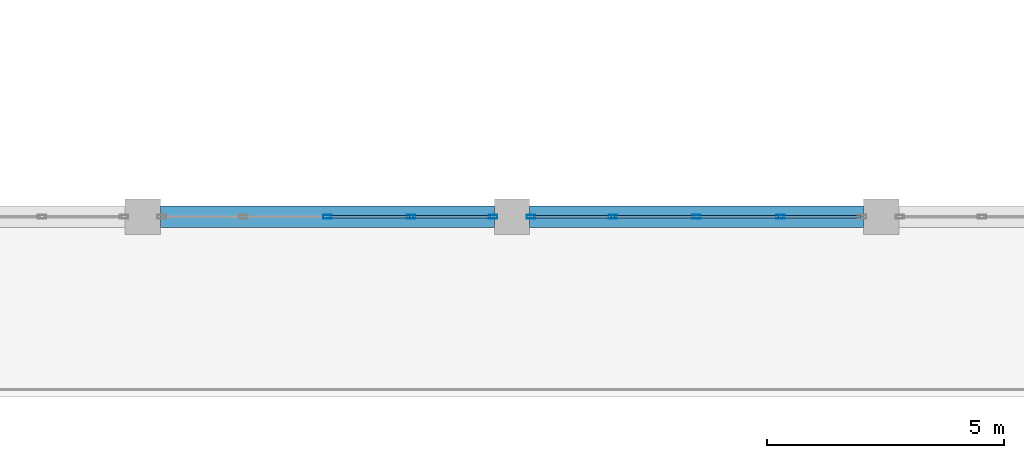
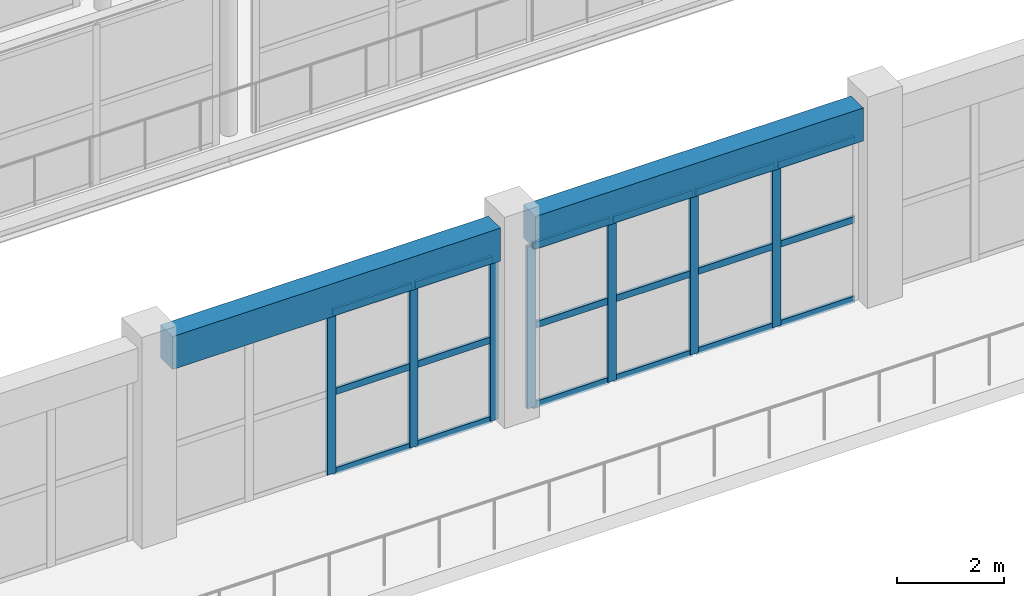
# One storey, part 43 of 175: 25 members, 2 beams, 2 elements without a shape of their own.
"""IFC4 building model written with IfcOpenShell, lengths in metres."""

from ifc_helpers import new_model, si_unit, direction, frame, origin, origin_2d, place, context, subcontext, project, spatial, rectangle, hollow_rectangle, extrude, material, layer, layer_set, material_profile, profile_set, type_object, element, aggregate, save


model = new_model("IFC4")

# Units and contexts
model_context = context("Model", 3, precision=1e-05, world=origin(), true_north=direction((0.0, 1.0)))
body_context = subcontext(model_context, "Body", "Model", "MODEL_VIEW")
ifc_project = project(units=[si_unit("LENGTHUNIT", "METRE"), si_unit("AREAUNIT", "SQUARE_METRE"), si_unit("VOLUMEUNIT", "CUBIC_METRE"), si_unit("PLANEANGLEUNIT", "RADIAN"), si_unit("MASSUNIT", "GRAM", prefix="KILO")], contexts=[model_context])

# Site, building, storey
site_placement = place(None, origin())
site = spatial("IfcSite", under=ifc_project, at=site_placement, CompositionType="ELEMENT")
building_placement = place(site_placement, origin())
building = spatial("IfcBuilding", under=site, at=building_placement, Name="Zizhar Promenade General Hospital", CompositionType="ELEMENT")
storey_placement = place(building_placement, frame((0.0, 0.0, 4.800048828125)))
storey = spatial("IfcBuildingStorey", under=building, at=storey_placement, Name="L01", CompositionType="ELEMENT", Elevation=4.800048828125)

# Beams
ifc_material_1 = material(Name="Concrete C35/45", Category="concrete")
ifc_material_profile_1 = material_profile(ifc_material_1, rectangle(XDim=0.449951171875, YDim=0.75, at=origin_2d()))
ifc_profile_set_1 = profile_set([ifc_material_profile_1], Name="Concrete C35/45")
beam_type = type_object("IfcBeamType", Name="BM-RC-450x750", PredefinedType="BEAM", material=ifc_profile_set_1)
for number, where, z_axis, x_axis, name in (
    (1, (78.375, 50.39990234375, 4.094970703125), (1.0, 0.0, 0.0), (0.0, 1.0, 0.0), "Grid Beam X L01 (10-6)"),
    (2, (86.175048828125, 50.39990234375, 4.094970703125), (1.0, 0.0, 0.0), (0.0, 1.0, 0.0), "Grid Beam X L01 (11-6)"),
):
    element("IfcBeam", number, at=place(storey_placement, frame(where, z_axis=z_axis, x_axis=x_axis)), inside=storey, type_object=beam_type, Name=name, PredefinedType="BEAM", context=body_context, shape_type="SweptSolid", body=[
        extrude(rectangle(XDim=0.449951171875, YDim=0.75, at=origin_2d()), origin(), (0.0, 0.0, 1.0), 7.050048828125),
    ])

# Curtain wall, members
ifc_material_2 = material(Name="Anodised aluminium 6063-T6 and low-E glass", Category="aluminium")
ifc_layer = layer(ifc_material_2, 0.159912109375)
ifc_layer_set = layer_set([ifc_layer], Name="Anodised aluminium 6063-T6 and low-E glass")
curtain_wall_type = type_object("IfcCurtainWallType", Name="CW-HALL-N", PredefinedType="NOTDEFINED", material=ifc_layer_set)
curtain_wall_1_placement = place(storey_placement, origin())
curtain_wall_1 = element("IfcCurtainWall", 3, at=curtain_wall_1_placement, inside=storey, type_object=curtain_wall_type, Name="Main Hall Courtyard Curtain Wall L01-10", PredefinedType="NOTDEFINED")
ifc_material_3 = material(Name="Anodised aluminium 6063-T6", Category="aluminium")
ifc_material_profile_2 = material_profile(ifc_material_3, hollow_rectangle(XDim=0.080078125, YDim=0.179931640625, WallThickness=0.0048828125, at=origin_2d()))
ifc_profile_set_2 = profile_set([ifc_material_profile_2], Name="Anodised aluminium 6063-T6")
member_type_1 = type_object("IfcMemberType", Name="CWM-ALU-180x80", PredefinedType="MULLION", material=ifc_profile_set_2)
member_1_placement = place(storey_placement, frame((81.89990234375, 50.39990234375, 0.0), z_axis=(0.0, 0.0, 1.0), x_axis=(0.0, 1.0, 0.0)))
member_1 = element("IfcMember", 4, at=member_1_placement, type_object=member_type_1, Name="CW-02 mullion 3", PredefinedType="MULLION", context=body_context, shape_type="SweptSolid", body=[
    extrude(hollow_rectangle(XDim=0.080078125, YDim=0.179931640625, WallThickness=0.0048828125, at=origin_2d()), origin(), (0.0, 0.0, 1.0), 3.679931640625),
])
member_2_placement = place(storey_placement, frame((83.669921875, 50.39990234375, 0.0), z_axis=(0.0, 0.0, 1.0), x_axis=(0.0, 1.0, 0.0)))
member_2 = element("IfcMember", 5, at=member_2_placement, type_object=member_type_1, Name="CW-02 mullion 4", PredefinedType="MULLION", context=body_context, shape_type="SweptSolid", body=[
    extrude(hollow_rectangle(XDim=0.080078125, YDim=0.179931640625, WallThickness=0.0048828125, at=origin_2d()), origin(), (0.0, 0.0, 1.0), 3.679931640625),
])
member_3_placement = place(storey_placement, frame((85.39990234375, 50.39990234375, 0.0), z_axis=(0.0, 0.0, 1.0), x_axis=(0.0, 1.0, 0.0)))
member_3 = element("IfcMember", 6, at=member_3_placement, type_object=member_type_1, Name="CW-02 mullion 5", PredefinedType="MULLION", context=body_context, shape_type="SweptSolid", body=[
    extrude(hollow_rectangle(XDim=0.080078125, YDim=0.179931640625, WallThickness=0.0048828125, at=origin_2d()), origin(), (0.0, 0.0, 1.0), 3.679931640625),
])

curtain_wall_2_placement = place(storey_placement, origin())
curtain_wall_2 = element("IfcCurtainWall", 7, at=curtain_wall_2_placement, inside=storey, type_object=curtain_wall_type, Name="Main Hall Courtyard Curtain Wall L01-11", PredefinedType="NOTDEFINED")
member_4_placement = place(storey_placement, frame((86.199951171875, 50.39990234375, 0.0), z_axis=(0.0, 0.0, 1.0), x_axis=(0.0, 1.0, 0.0)))
member_4 = element("IfcMember", 8, at=member_4_placement, type_object=member_type_1, Name="CW-02 mullion 1", PredefinedType="MULLION", context=body_context, shape_type="SweptSolid", body=[
    extrude(hollow_rectangle(XDim=0.080078125, YDim=0.179931640625, WallThickness=0.0048828125, at=origin_2d()), origin(), (0.0, 0.0, 1.0), 3.679931640625),
])
member_5_placement = place(storey_placement, frame((87.929931640625, 50.39990234375, 0.0), z_axis=(0.0, 0.0, 1.0), x_axis=(0.0, 1.0, 0.0)))
member_5 = element("IfcMember", 9, at=member_5_placement, type_object=member_type_1, Name="CW-02 mullion 2", PredefinedType="MULLION", context=body_context, shape_type="SweptSolid", body=[
    extrude(hollow_rectangle(XDim=0.080078125, YDim=0.179931640625, WallThickness=0.0048828125, at=origin_2d()), origin(), (0.0, 0.0, 1.0), 3.679931640625),
])
member_6_placement = place(storey_placement, frame((89.699951171875, 50.39990234375, 0.0), z_axis=(0.0, 0.0, 1.0), x_axis=(0.0, 1.0, 0.0)))
member_6 = element("IfcMember", 10, at=member_6_placement, type_object=member_type_1, Name="CW-02 mullion 3", PredefinedType="MULLION", context=body_context, shape_type="SweptSolid", body=[
    extrude(hollow_rectangle(XDim=0.080078125, YDim=0.179931640625, WallThickness=0.0048828125, at=origin_2d()), origin(), (0.0, 0.0, 1.0), 3.679931640625),
])
member_7_placement = place(storey_placement, frame((91.469970703125, 50.39990234375, 0.0), z_axis=(0.0, 0.0, 1.0), x_axis=(0.0, 1.0, 0.0)))
member_7 = element("IfcMember", 11, at=member_7_placement, type_object=member_type_1, Name="CW-02 mullion 4", PredefinedType="MULLION", context=body_context, shape_type="SweptSolid", body=[
    extrude(hollow_rectangle(XDim=0.080078125, YDim=0.179931640625, WallThickness=0.0048828125, at=origin_2d()), origin(), (0.0, 0.0, 1.0), 3.679931640625),
])

# Member
ifc_material_4 = material(Name="Anodised aluminium 6063-T6", Category="aluminium")
ifc_material_profile_3 = material_profile(ifc_material_4, hollow_rectangle(XDim=0.06005859375, YDim=0.14990234375, WallThickness=0.00390625, at=origin_2d()))
ifc_profile_set_3 = profile_set([ifc_material_profile_3], Name="Anodised aluminium 6063-T6")
member_type_2 = type_object("IfcMemberType", Name="CWT-ALU-150x60", PredefinedType="USERDEFINED", material=ifc_profile_set_3)
member_8_placement = place(storey_placement, frame((81.93994140625, 50.39990234375, 0.030029296875), z_axis=(1.0, 0.0, 0.0), x_axis=(0.0, 1.0, 0.0)))
member_8 = element("IfcMember", 12, at=member_8_placement, type_object=member_type_2, Name="CW-02 transom 3.1", ObjectType="TRANSOM", PredefinedType="USERDEFINED", context=body_context, shape_type="SweptSolid", body=[
    extrude(hollow_rectangle(XDim=0.06005859375, YDim=0.14990234375, WallThickness=0.00390625, at=origin_2d()), origin(), (0.0, 0.0, 1.0), 1.68994140625),
])

member_9_placement = place(storey_placement, frame((81.93994140625, 50.39990234375, 1.83984375), z_axis=(1.0, 0.0, 0.0), x_axis=(0.0, 1.0, 0.0)))
member_9 = element("IfcMember", 13, at=member_9_placement, type_object=member_type_2, Name="CW-02 transom 3.2", ObjectType="TRANSOM", PredefinedType="USERDEFINED", context=body_context, shape_type="SweptSolid", body=[
    extrude(hollow_rectangle(XDim=0.06005859375, YDim=0.14990234375, WallThickness=0.00390625, at=origin_2d()), origin(), (0.0, 0.0, 1.0), 1.68994140625),
])

member_10_placement = place(storey_placement, frame((81.93994140625, 50.39990234375, 3.64990234375), z_axis=(1.0, 0.0, 0.0), x_axis=(0.0, 1.0, 0.0)))
member_10 = element("IfcMember", 14, at=member_10_placement, type_object=member_type_2, Name="CW-02 transom 3.3", ObjectType="TRANSOM", PredefinedType="USERDEFINED", context=body_context, shape_type="SweptSolid", body=[
    extrude(hollow_rectangle(XDim=0.06005859375, YDim=0.14990234375, WallThickness=0.00390625, at=origin_2d()), origin(), (0.0, 0.0, 1.0), 1.68994140625),
])

member_11_placement = place(storey_placement, frame((83.7099609375, 50.39990234375, 0.030029296875), z_axis=(1.0, 0.0, 0.0), x_axis=(0.0, 1.0, 0.0)))
member_11 = element("IfcMember", 15, at=member_11_placement, type_object=member_type_2, Name="CW-02 transom 4.1", ObjectType="TRANSOM", PredefinedType="USERDEFINED", context=body_context, shape_type="SweptSolid", body=[
    extrude(hollow_rectangle(XDim=0.06005859375, YDim=0.14990234375, WallThickness=0.00390625, at=origin_2d()), origin(), (0.0, 0.0, 1.0), 1.650146484375),
])

member_12_placement = place(storey_placement, frame((83.7099609375, 50.39990234375, 1.83984375), z_axis=(1.0, 0.0, 0.0), x_axis=(0.0, 1.0, 0.0)))
member_12 = element("IfcMember", 16, at=member_12_placement, type_object=member_type_2, Name="CW-02 transom 4.2", ObjectType="TRANSOM", PredefinedType="USERDEFINED", context=body_context, shape_type="SweptSolid", body=[
    extrude(hollow_rectangle(XDim=0.06005859375, YDim=0.14990234375, WallThickness=0.00390625, at=origin_2d()), origin(), (0.0, 0.0, 1.0), 1.650146484375),
])

member_13_placement = place(storey_placement, frame((83.7099609375, 50.39990234375, 3.64990234375), z_axis=(1.0, 0.0, 0.0), x_axis=(0.0, 1.0, 0.0)))
member_13 = element("IfcMember", 17, at=member_13_placement, type_object=member_type_2, Name="CW-02 transom 4.3", ObjectType="TRANSOM", PredefinedType="USERDEFINED", context=body_context, shape_type="SweptSolid", body=[
    extrude(hollow_rectangle(XDim=0.06005859375, YDim=0.14990234375, WallThickness=0.00390625, at=origin_2d()), origin(), (0.0, 0.0, 1.0), 1.650146484375),
])

aggregate(curtain_wall_1, [member_1, member_2, member_3, member_8, member_9, member_10, member_11, member_12, member_13])

member_14_placement = place(storey_placement, frame((86.239990234375, 50.39990234375, 0.030029296875), z_axis=(1.0, 0.0, 0.0), x_axis=(0.0, 1.0, 0.0)))
member_14 = element("IfcMember", 18, at=member_14_placement, type_object=member_type_2, Name="CW-02 transom 1.1", ObjectType="TRANSOM", PredefinedType="USERDEFINED", context=body_context, shape_type="SweptSolid", body=[
    extrude(hollow_rectangle(XDim=0.06005859375, YDim=0.14990234375, WallThickness=0.00390625, at=origin_2d()), origin(), (0.0, 0.0, 1.0), 1.64990234375),
])

member_15_placement = place(storey_placement, frame((86.239990234375, 50.39990234375, 1.83984375), z_axis=(1.0, 0.0, 0.0), x_axis=(0.0, 1.0, 0.0)))
member_15 = element("IfcMember", 19, at=member_15_placement, type_object=member_type_2, Name="CW-02 transom 1.2", ObjectType="TRANSOM", PredefinedType="USERDEFINED", context=body_context, shape_type="SweptSolid", body=[
    extrude(hollow_rectangle(XDim=0.06005859375, YDim=0.14990234375, WallThickness=0.00390625, at=origin_2d()), origin(), (0.0, 0.0, 1.0), 1.64990234375),
])

member_16_placement = place(storey_placement, frame((86.239990234375, 50.39990234375, 3.64990234375), z_axis=(1.0, 0.0, 0.0), x_axis=(0.0, 1.0, 0.0)))
member_16 = element("IfcMember", 20, at=member_16_placement, type_object=member_type_2, Name="CW-02 transom 1.3", ObjectType="TRANSOM", PredefinedType="USERDEFINED", context=body_context, shape_type="SweptSolid", body=[
    extrude(hollow_rectangle(XDim=0.06005859375, YDim=0.14990234375, WallThickness=0.00390625, at=origin_2d()), origin(), (0.0, 0.0, 1.0), 1.64990234375),
])

member_17_placement = place(storey_placement, frame((87.969970703125, 50.39990234375, 0.030029296875), z_axis=(1.0, 0.0, 0.0), x_axis=(0.0, 1.0, 0.0)))
member_17 = element("IfcMember", 21, at=member_17_placement, type_object=member_type_2, Name="CW-02 transom 2.1", ObjectType="TRANSOM", PredefinedType="USERDEFINED", context=body_context, shape_type="SweptSolid", body=[
    extrude(hollow_rectangle(XDim=0.06005859375, YDim=0.14990234375, WallThickness=0.00390625, at=origin_2d()), origin(), (0.0, 0.0, 1.0), 1.68994140625),
])

member_18_placement = place(storey_placement, frame((87.969970703125, 50.39990234375, 1.83984375), z_axis=(1.0, 0.0, 0.0), x_axis=(0.0, 1.0, 0.0)))
member_18 = element("IfcMember", 22, at=member_18_placement, type_object=member_type_2, Name="CW-02 transom 2.2", ObjectType="TRANSOM", PredefinedType="USERDEFINED", context=body_context, shape_type="SweptSolid", body=[
    extrude(hollow_rectangle(XDim=0.06005859375, YDim=0.14990234375, WallThickness=0.00390625, at=origin_2d()), origin(), (0.0, 0.0, 1.0), 1.68994140625),
])

member_19_placement = place(storey_placement, frame((87.969970703125, 50.39990234375, 3.64990234375), z_axis=(1.0, 0.0, 0.0), x_axis=(0.0, 1.0, 0.0)))
member_19 = element("IfcMember", 23, at=member_19_placement, type_object=member_type_2, Name="CW-02 transom 2.3", ObjectType="TRANSOM", PredefinedType="USERDEFINED", context=body_context, shape_type="SweptSolid", body=[
    extrude(hollow_rectangle(XDim=0.06005859375, YDim=0.14990234375, WallThickness=0.00390625, at=origin_2d()), origin(), (0.0, 0.0, 1.0), 1.68994140625),
])

member_20_placement = place(storey_placement, frame((89.739990234375, 50.39990234375, 0.030029296875), z_axis=(1.0, 0.0, 0.0), x_axis=(0.0, 1.0, 0.0)))
member_20 = element("IfcMember", 24, at=member_20_placement, type_object=member_type_2, Name="CW-02 transom 3.1", ObjectType="TRANSOM", PredefinedType="USERDEFINED", context=body_context, shape_type="SweptSolid", body=[
    extrude(hollow_rectangle(XDim=0.06005859375, YDim=0.14990234375, WallThickness=0.00390625, at=origin_2d()), origin(), (0.0, 0.0, 1.0), 1.68994140625),
])

member_21_placement = place(storey_placement, frame((89.739990234375, 50.39990234375, 1.83984375), z_axis=(1.0, 0.0, 0.0), x_axis=(0.0, 1.0, 0.0)))
member_21 = element("IfcMember", 25, at=member_21_placement, type_object=member_type_2, Name="CW-02 transom 3.2", ObjectType="TRANSOM", PredefinedType="USERDEFINED", context=body_context, shape_type="SweptSolid", body=[
    extrude(hollow_rectangle(XDim=0.06005859375, YDim=0.14990234375, WallThickness=0.00390625, at=origin_2d()), origin(), (0.0, 0.0, 1.0), 1.68994140625),
])

member_22_placement = place(storey_placement, frame((89.739990234375, 50.39990234375, 3.64990234375), z_axis=(1.0, 0.0, 0.0), x_axis=(0.0, 1.0, 0.0)))
member_22 = element("IfcMember", 26, at=member_22_placement, type_object=member_type_2, Name="CW-02 transom 3.3", ObjectType="TRANSOM", PredefinedType="USERDEFINED", context=body_context, shape_type="SweptSolid", body=[
    extrude(hollow_rectangle(XDim=0.06005859375, YDim=0.14990234375, WallThickness=0.00390625, at=origin_2d()), origin(), (0.0, 0.0, 1.0), 1.68994140625),
])

member_23_placement = place(storey_placement, frame((91.510009765625, 50.39990234375, 0.030029296875), z_axis=(1.0, 0.0, 0.0), x_axis=(0.0, 1.0, 0.0)))
member_23 = element("IfcMember", 27, at=member_23_placement, type_object=member_type_2, Name="CW-02 transom 4.1", ObjectType="TRANSOM", PredefinedType="USERDEFINED", context=body_context, shape_type="SweptSolid", body=[
    extrude(hollow_rectangle(XDim=0.06005859375, YDim=0.14990234375, WallThickness=0.00390625, at=origin_2d()), origin(), (0.0, 0.0, 1.0), 1.64990234375),
])

member_24_placement = place(storey_placement, frame((91.510009765625, 50.39990234375, 1.83984375), z_axis=(1.0, 0.0, 0.0), x_axis=(0.0, 1.0, 0.0)))
member_24 = element("IfcMember", 28, at=member_24_placement, type_object=member_type_2, Name="CW-02 transom 4.2", ObjectType="TRANSOM", PredefinedType="USERDEFINED", context=body_context, shape_type="SweptSolid", body=[
    extrude(hollow_rectangle(XDim=0.06005859375, YDim=0.14990234375, WallThickness=0.00390625, at=origin_2d()), origin(), (0.0, 0.0, 1.0), 1.64990234375),
])

member_25_placement = place(storey_placement, frame((91.510009765625, 50.39990234375, 3.64990234375), z_axis=(1.0, 0.0, 0.0), x_axis=(0.0, 1.0, 0.0)))
member_25 = element("IfcMember", 29, at=member_25_placement, type_object=member_type_2, Name="CW-02 transom 4.3", ObjectType="TRANSOM", PredefinedType="USERDEFINED", context=body_context, shape_type="SweptSolid", body=[
    extrude(hollow_rectangle(XDim=0.06005859375, YDim=0.14990234375, WallThickness=0.00390625, at=origin_2d()), origin(), (0.0, 0.0, 1.0), 1.64990234375),
])

aggregate(curtain_wall_2, [member_4, member_5, member_6, member_7, member_14, member_15, member_16, member_17, member_18, member_19, member_20, member_21, member_22, member_23, member_24, member_25])

save(model, "model.ifc")
